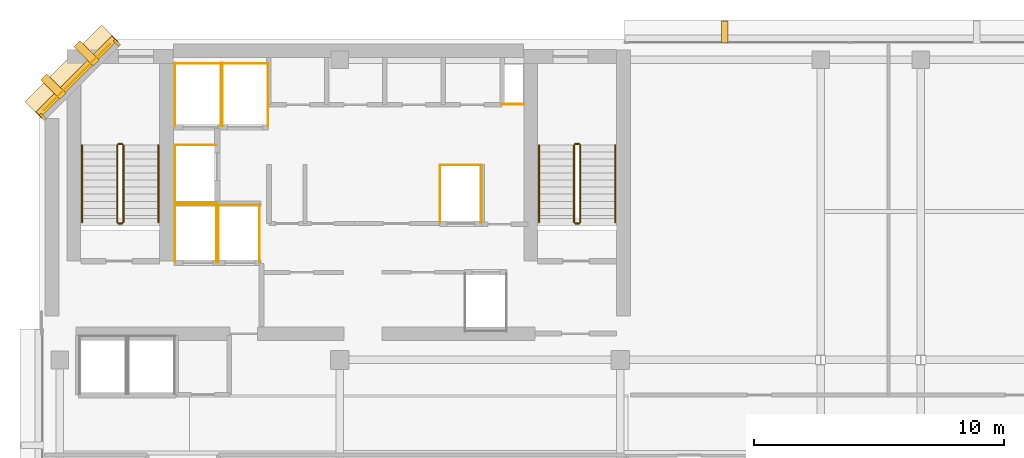
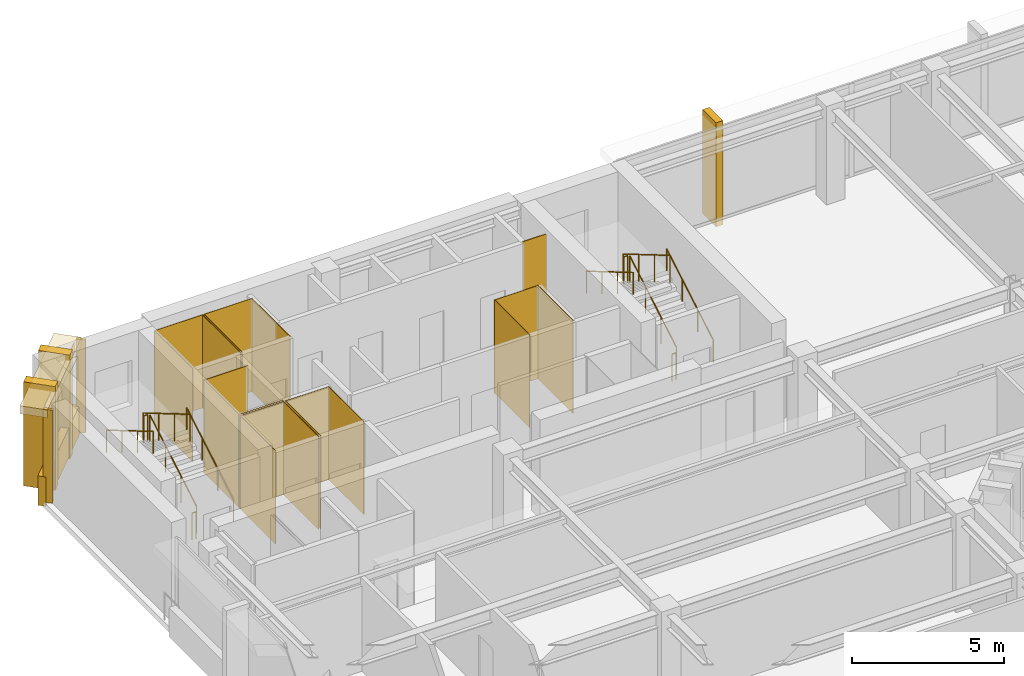
# One storey, part 11 of 12: 27 coverings, 12 railings.
"""IFC4 building model written with IfcOpenShell, lengths in metres."""

from ifc_helpers import new_model, si_unit, direction, frame, origin, origin_2d, place, context, subcontext, project, spatial, polyline, rectangle, circle, outline, extrude, material, layer, layer_set, type_object, element, save


model = new_model("IFC4")

# Units and contexts
model_context = context("Model", 3, precision=1e-05, world=origin(), true_north=direction((0.0, 1.0)))
body_context = subcontext(model_context, "Body", "Model", "MODEL_VIEW")
ifc_project = project(units=[si_unit("LENGTHUNIT", "METRE"), si_unit("AREAUNIT", "SQUARE_METRE"), si_unit("VOLUMEUNIT", "CUBIC_METRE"), si_unit("PLANEANGLEUNIT", "RADIAN"), si_unit("MASSUNIT", "GRAM", prefix="KILO")], contexts=[model_context])

# Site, building, storey
site_placement = place(None, origin())
site = spatial("IfcSite", under=ifc_project, at=site_placement, CompositionType="ELEMENT")
building_placement = place(site_placement, origin())
building = spatial("IfcBuilding", under=site, at=building_placement, Name="Kefirva Bronze Tower", CompositionType="ELEMENT")
storey_placement = place(building_placement, frame((0.0, 0.0, 280.169921875)))
storey = spatial("IfcBuildingStorey", under=building, at=storey_placement, Name="L68", CompositionType="ELEMENT", Elevation=280.169921875)

# Coverings
ifc_material_1 = material(Name="Bronze anodised aluminium", Category="aluminium")
ifc_layer_1 = layer(ifc_material_1, 0.02001953125, Name="Bronze anodised aluminium")
ifc_layer_set_1 = layer_set([ifc_layer_1], Name="Bronze anodised aluminium")
covering_type_1 = type_object("IfcCoveringType", Name="Anodised Bronze Spandrel Cladding 20mm", PredefinedType="CLADDING", material=ifc_layer_set_1)
covering_1_placement = place(storey_placement, frame((1.492919921875, 44.507080078125, 3.320068359375), z_axis=(0.0, 0.0, 1.0), x_axis=(-0.707106781187, -0.707106781187, 0.0)))
element("IfcCovering", 1, at=covering_1_placement, inside=storey, type_object=covering_type_1, Name="L68 Bronze Spandrel Cladding 9", PredefinedType="CLADDING", context=body_context, shape_type="SweptSolid", body=[
    extrude(rectangle(XDim=3.719482421875, YDim=0.02001953125, at=origin_2d()), origin(), (0.0, 0.0, 1.0), 0.39990234375),
])
for number, where, z_axis, x_axis, name in (
    (2, (3.08837890625, 45.862060546875, 0.0), (0.0, 0.0, 1.0), (-0.707106781187, -0.707106781187, 0.0), "L68 Facade Joint Closure Panel 9S"),
    (3, (0.137939453125, 42.91162109375, 0.0), (0.0, 0.0, 1.0), (-0.707106781187, -0.707106781187, 0.0), "L68 Facade Joint Closure Panel 9E"),
):
    element("IfcCovering", number, at=place(storey_placement, frame(where, z_axis=z_axis, x_axis=x_axis)), inside=storey, type_object=covering_type_1, Name=name, PredefinedType="CLADDING", context=body_context, shape_type="SweptSolid", body=[
        extrude(rectangle(XDim=0.10009765625, YDim=0.320068359375, at=origin_2d()), origin(), (0.0, 0.0, 1.0), 3.739990234375),
    ])
covering_2_placement = place(storey_placement, frame((1.4716796875, 44.5283203125, -0.15966796875), z_axis=(0.0, 0.0, 1.0), x_axis=(-0.707106781187, -0.707106781187, 0.0)))
element("IfcCovering", 4, at=covering_2_placement, inside=storey, type_object=covering_type_1, Name="L68 Streamline Horizontal Spandrel Band 13", PredefinedType="CLADDING", context=body_context, shape_type="SweptSolid", body=[
    extrude(rectangle(XDim=4.28271484375, YDim=0.280029296875, at=origin_2d()), origin(), (0.0, 0.0, 1.0), 1.179931640625),
])
covering_3_placement = place(storey_placement, origin())
element("IfcCovering", 5, at=covering_3_placement, inside=storey, type_object=covering_type_1, Name="L68 Lift FF1 Hoistway Liner N", PredefinedType="CLADDING", context=body_context, shape_type="SweptSolid", body=[
    extrude(outline(polyline([(5.39990234375, 39.389892578125), (7.080078125, 39.389892578125), (7.080078125, 39.409912109375), (5.39990234375, 39.409912109375), (5.39990234375, 39.389892578125)])), origin(), (0.0, 0.0, 1.0), 3.739990234375),
])
covering_4_placement = place(storey_placement, origin())
element("IfcCovering", 6, at=covering_4_placement, inside=storey, type_object=covering_type_1, Name="L68 Lift FF1 Hoistway Liner W", PredefinedType="CLADDING", context=body_context, shape_type="SweptSolid", body=[
    extrude(outline(polyline([(5.409912109375, 37.080078125), (5.429931640625, 37.080078125), (5.429931640625, 39.419921875), (5.409912109375, 39.419921875), (5.409912109375, 37.080078125)])), origin(), (0.0, 0.0, 1.0), 3.739990234375),
])
covering_5_placement = place(storey_placement, origin())
element("IfcCovering", 7, at=covering_5_placement, inside=storey, type_object=covering_type_1, Name="L68 Lift FF1 Hoistway Liner E", PredefinedType="CLADDING", context=body_context, shape_type="SweptSolid", body=[
    extrude(outline(polyline([(7.050048828125, 37.080078125), (7.070068359375, 37.080078125), (7.070068359375, 39.419921875), (7.050048828125, 39.419921875), (7.050048828125, 37.080078125)])), origin(), (0.0, 0.0, 1.0), 3.739990234375),
])
covering_6_placement = place(storey_placement, origin())
element("IfcCovering", 8, at=covering_6_placement, inside=storey, type_object=covering_type_1, Name="L68 Lift FF2 Hoistway Liner N", PredefinedType="CLADDING", context=body_context, shape_type="SweptSolid", body=[
    extrude(outline(polyline([(7.1201171875, 39.389892578125), (8.800048828125, 39.389892578125), (8.800048828125, 39.409912109375), (7.1201171875, 39.409912109375), (7.1201171875, 39.389892578125)])), origin(), (0.0, 0.0, 1.0), 3.739990234375),
])
covering_7_placement = place(storey_placement, origin())
element("IfcCovering", 9, at=covering_7_placement, inside=storey, type_object=covering_type_1, Name="L68 Lift FF2 Hoistway Liner W", PredefinedType="CLADDING", context=body_context, shape_type="SweptSolid", body=[
    extrude(outline(polyline([(7.1298828125, 37.080078125), (7.14990234375, 37.080078125), (7.14990234375, 39.419921875), (7.1298828125, 39.419921875), (7.1298828125, 37.080078125)])), origin(), (0.0, 0.0, 1.0), 3.739990234375),
])
covering_8_placement = place(storey_placement, origin())
element("IfcCovering", 10, at=covering_8_placement, inside=storey, type_object=covering_type_1, Name="L68 Lift FF2 Hoistway Liner E", PredefinedType="CLADDING", context=body_context, shape_type="SweptSolid", body=[
    extrude(outline(polyline([(8.77001953125, 37.080078125), (8.7900390625, 37.080078125), (8.7900390625, 39.419921875), (8.77001953125, 39.419921875), (8.77001953125, 37.080078125)])), origin(), (0.0, 0.0, 1.0), 3.739990234375),
])
covering_9_placement = place(storey_placement, origin())
element("IfcCovering", 11, at=covering_9_placement, inside=storey, type_object=covering_type_1, Name="L68 Lift SV1 Hoistway Liner N", PredefinedType="CLADDING", context=body_context, shape_type="SweptSolid", body=[
    extrude(outline(polyline([(5.39990234375, 45.0400390625), (7.260009765625, 45.0400390625), (7.260009765625, 45.06005859375), (5.39990234375, 45.06005859375), (5.39990234375, 45.0400390625)])), origin(), (0.0, 0.0, 1.0), 3.739990234375),
])
covering_10_placement = place(storey_placement, origin())
element("IfcCovering", 12, at=covering_10_placement, inside=storey, type_object=covering_type_1, Name="L68 Lift SV1 Hoistway Liner W", PredefinedType="CLADDING", context=body_context, shape_type="SweptSolid", body=[
    extrude(outline(polyline([(5.409912109375, 42.530029296875), (5.429931640625, 42.530029296875), (5.429931640625, 45.070068359375), (5.409912109375, 45.070068359375), (5.409912109375, 42.530029296875)])), origin(), (0.0, 0.0, 1.0), 3.739990234375),
])
covering_11_placement = place(storey_placement, origin())
element("IfcCovering", 13, at=covering_11_placement, inside=storey, type_object=covering_type_1, Name="L68 Lift SV1 Hoistway Liner E", PredefinedType="CLADDING", context=body_context, shape_type="SweptSolid", body=[
    extrude(outline(polyline([(7.22998046875, 42.530029296875), (7.25, 42.530029296875), (7.25, 45.070068359375), (7.22998046875, 45.070068359375), (7.22998046875, 42.530029296875)])), origin(), (0.0, 0.0, 1.0), 3.739990234375),
])
covering_12_placement = place(storey_placement, origin())
element("IfcCovering", 14, at=covering_12_placement, inside=storey, type_object=covering_type_1, Name="L68 Lift SV2 Hoistway Liner N", PredefinedType="CLADDING", context=body_context, shape_type="SweptSolid", body=[
    extrude(outline(polyline([(7.280029296875, 45.0400390625), (9.139892578125, 45.0400390625), (9.139892578125, 45.06005859375), (7.280029296875, 45.06005859375), (7.280029296875, 45.0400390625)])), origin(), (0.0, 0.0, 1.0), 3.739990234375),
])
covering_13_placement = place(storey_placement, origin())
element("IfcCovering", 15, at=covering_13_placement, inside=storey, type_object=covering_type_1, Name="L68 Lift SV2 Hoistway Liner W", PredefinedType="CLADDING", context=body_context, shape_type="SweptSolid", body=[
    extrude(outline(polyline([(7.2900390625, 42.530029296875), (7.31005859375, 42.530029296875), (7.31005859375, 45.070068359375), (7.2900390625, 45.070068359375), (7.2900390625, 42.530029296875)])), origin(), (0.0, 0.0, 1.0), 3.739990234375),
])
covering_14_placement = place(storey_placement, origin())
element("IfcCovering", 16, at=covering_14_placement, inside=storey, type_object=covering_type_1, Name="L68 Lift SV2 Hoistway Liner E", PredefinedType="CLADDING", context=body_context, shape_type="SweptSolid", body=[
    extrude(outline(polyline([(9.110107421875, 42.530029296875), (9.1298828125, 42.530029296875), (9.1298828125, 45.070068359375), (9.110107421875, 45.070068359375), (9.110107421875, 42.530029296875)])), origin(), (0.0, 0.0, 1.0), 3.739990234375),
])
covering_15_placement = place(storey_placement, origin())
element("IfcCovering", 17, at=covering_15_placement, inside=storey, type_object=covering_type_1, Name="L68 Lift HP2 Hoistway Liner N", PredefinedType="CLADDING", context=body_context, shape_type="SweptSolid", body=[
    extrude(outline(polyline([(15.97998046875, 40.969970703125), (17.669921875, 40.969970703125), (17.669921875, 40.989990234375), (15.97998046875, 40.989990234375), (15.97998046875, 40.969970703125)])), origin(), (0.0, 0.0, 1.0), 3.739990234375),
])
covering_16_placement = place(storey_placement, origin())
element("IfcCovering", 18, at=covering_16_placement, inside=storey, type_object=covering_type_1, Name="L68 Lift HP2 Hoistway Liner W", PredefinedType="CLADDING", context=body_context, shape_type="SweptSolid", body=[
    extrude(outline(polyline([(15.989990234375, 38.659912109375), (16.010009765625, 38.659912109375), (16.010009765625, 41.0), (15.989990234375, 41.0), (15.989990234375, 38.659912109375)])), origin(), (0.0, 0.0, 1.0), 3.739990234375),
])
covering_17_placement = place(storey_placement, origin())
element("IfcCovering", 19, at=covering_17_placement, inside=storey, type_object=covering_type_1, Name="L68 Lift HP2 Hoistway Liner E", PredefinedType="CLADDING", context=body_context, shape_type="SweptSolid", body=[
    extrude(outline(polyline([(17.639892578125, 38.659912109375), (17.659912109375, 38.659912109375), (17.659912109375, 41.0), (17.639892578125, 41.0), (17.639892578125, 38.659912109375)])), origin(), (0.0, 0.0, 1.0), 3.739990234375),
])
covering_18_placement = place(storey_placement, origin())
element("IfcCovering", 20, at=covering_18_placement, inside=storey, type_object=covering_type_1, Name="L68 Lift HP3 Hoistway Liner N", PredefinedType="CLADDING", context=body_context, shape_type="SweptSolid", body=[
    extrude(outline(polyline([(5.39990234375, 41.77001953125), (7.080078125, 41.77001953125), (7.080078125, 41.7900390625), (5.39990234375, 41.7900390625), (5.39990234375, 41.77001953125)])), origin(), (0.0, 0.0, 1.0), 3.739990234375),
])
covering_19_placement = place(storey_placement, origin())
element("IfcCovering", 21, at=covering_19_placement, inside=storey, type_object=covering_type_1, Name="L68 Lift HP3 Hoistway Liner S", PredefinedType="CLADDING", context=body_context, shape_type="SweptSolid", body=[
    extrude(outline(polyline([(5.39990234375, 39.469970703125), (7.080078125, 39.469970703125), (7.080078125, 39.489990234375), (5.39990234375, 39.489990234375), (5.39990234375, 39.469970703125)])), origin(), (0.0, 0.0, 1.0), 3.739990234375),
])
covering_20_placement = place(storey_placement, origin())
element("IfcCovering", 22, at=covering_20_placement, inside=storey, type_object=covering_type_1, Name="L68 Lift HP3 Hoistway Liner W", PredefinedType="CLADDING", context=body_context, shape_type="SweptSolid", body=[
    extrude(outline(polyline([(5.409912109375, 39.4599609375), (5.429931640625, 39.4599609375), (5.429931640625, 41.800048828125), (5.409912109375, 41.800048828125), (5.409912109375, 39.4599609375)])), origin(), (0.0, 0.0, 1.0), 3.739990234375),
])
covering_21_placement = place(storey_placement, origin())
element("IfcCovering", 23, at=covering_21_placement, inside=storey, type_object=covering_type_1, Name="L68 Core MEP Riser Shaft Liner South", PredefinedType="CLADDING", context=body_context, shape_type="SweptSolid", body=[
    extrude(outline(polyline([(18.47998046875, 43.39990234375), (19.360107421875, 43.39990234375), (19.360107421875, 43.429931640625), (18.47998046875, 43.429931640625), (18.47998046875, 43.39990234375)])), origin(), (0.0, 0.0, 1.0), 3.739990234375),
])

# Railings
ifc_material_2 = material(Name="Stainless steel 316", Category="steel")
railing_type_1 = type_object("IfcRailingType", Name="Interior Stair Guardrail 1100mm", PredefinedType="GUARDRAIL", material=ifc_material_2)
railing_1_placement = place(storey_placement, frame((3.35009765625, 38.699951171875, 0.1650390625)))
element("IfcRailing", 24, at=railing_1_placement, inside=storey, type_object=railing_type_1, Name="L68 ST-1 stair guard 1", PredefinedType="GUARDRAIL", context=body_context, shape_type="SweptSolid", body=[
    extrude(circle(Radius=0.02392578125, at=origin_2d()), frame((0.0, 0.0, 1.076171875), z_axis=(0.0, 0.861551262678, 0.507670583921), x_axis=(-1.0, 0.0, 0.0)), (0.0, 0.0, 1.0), 3.574951171875),
    extrude(circle(Radius=0.02099609375, at=origin_2d()), origin(), (0.0, 0.0, 1.0), 1.052001953125),
    extrude(circle(Radius=0.02099609375, at=origin_2d()), frame((0.0, 1.026611328125, 0.60498046875)), (0.0, 0.0, 1.0), 1.052001953125),
    extrude(circle(Radius=0.02099609375, at=origin_2d()), frame((0.0, 2.053466796875, 1.2099609375)), (0.0, 0.0, 1.0), 1.052001953125),
    extrude(circle(Radius=0.02099609375, at=origin_2d()), frame((0.0, 3.080078125, 1.81494140625)), (0.0, 0.0, 1.0), 1.052001953125),
])
railing_2_placement = place(storey_placement, frame((3.300048828125, 41.830078125, 1.97998046875)))
element("IfcRailing", 25, at=railing_2_placement, inside=storey, type_object=railing_type_1, Name="L68 ST-1 stair guard 2", PredefinedType="GUARDRAIL", context=body_context, shape_type="SweptSolid", body=[
    extrude(circle(Radius=0.02392578125, at=origin_2d()), frame((0.0, 0.0, 1.076171875), z_axis=(-1.0, 0.0, 0.0), x_axis=(0.0, -1.0, 0.0)), (0.0, 0.0, 1.0), 0.150146484375),
    extrude(circle(Radius=0.02099609375, at=origin_2d()), origin(), (0.0, 0.0, 1.0), 1.052001953125),
    extrude(circle(Radius=0.02099609375, at=origin_2d()), frame((-0.150146484375, 0.0, 0.0)), (0.0, 0.0, 1.0), 1.052001953125),
])
railing_3_placement = place(storey_placement, frame((3.10009765625, 41.780029296875, 2.14501953125)))
element("IfcRailing", 26, at=railing_3_placement, inside=storey, type_object=railing_type_1, Name="L68 ST-1 stair guard 3", PredefinedType="GUARDRAIL", context=body_context, shape_type="SweptSolid", body=[
    extrude(circle(Radius=0.02392578125, at=origin_2d()), frame((0.0, 0.0, 1.076171875), z_axis=(0.0, -0.861551262678, 0.507670583921), x_axis=(1.0, 0.0, 0.0)), (0.0, 0.0, 1.0), 3.574951171875),
    extrude(circle(Radius=0.02099609375, at=origin_2d()), origin(), (0.0, 0.0, 1.0), 1.052001953125),
    extrude(circle(Radius=0.02099609375, at=origin_2d()), frame((0.0, -1.026611328125, 0.60498046875)), (0.0, 0.0, 1.0), 1.052001953125),
    extrude(circle(Radius=0.02099609375, at=origin_2d()), frame((0.0, -2.053466796875, 1.2099609375)), (0.0, 0.0, 1.0), 1.052001953125),
    extrude(circle(Radius=0.02099609375, at=origin_2d()), frame((0.0, -3.080078125, 1.81494140625)), (0.0, 0.0, 1.0), 1.052001953125),
])
railing_4_placement = place(storey_placement, frame((3.300048828125, 38.64990234375, 0.0)))
element("IfcRailing", 27, at=railing_4_placement, inside=storey, type_object=railing_type_1, Name="L68 ST-1 stair guard 4", PredefinedType="GUARDRAIL", context=body_context, shape_type="SweptSolid", body=[
    extrude(circle(Radius=0.02392578125, at=origin_2d()), frame((0.0, 0.0, 1.076171875), z_axis=(-1.0, 0.0, 0.0), x_axis=(0.0, -1.0, 0.0)), (0.0, 0.0, 1.0), 0.150146484375),
    extrude(circle(Radius=0.02099609375, at=origin_2d()), origin(), (0.0, 0.0, 1.0), 1.052001953125),
    extrude(circle(Radius=0.02099609375, at=origin_2d()), frame((-0.150146484375, 0.0, 0.0)), (0.0, 0.0, 1.0), 1.052001953125),
])
railing_5_placement = place(storey_placement, frame((21.60009765625, 38.699951171875, 0.1650390625)))
element("IfcRailing", 28, at=railing_5_placement, inside=storey, type_object=railing_type_1, Name="L68 ST-2 stair guard 1", PredefinedType="GUARDRAIL", context=body_context, shape_type="SweptSolid", body=[
    extrude(circle(Radius=0.02392578125, at=origin_2d()), frame((0.0, 0.0, 1.076171875), z_axis=(0.0, 0.861551262678, 0.507670583921), x_axis=(-1.0, 0.0, 0.0)), (0.0, 0.0, 1.0), 3.574951171875),
    extrude(circle(Radius=0.02099609375, at=origin_2d()), origin(), (0.0, 0.0, 1.0), 1.052001953125),
    extrude(circle(Radius=0.02099609375, at=origin_2d()), frame((0.0, 1.026611328125, 0.60498046875)), (0.0, 0.0, 1.0), 1.052001953125),
    extrude(circle(Radius=0.02099609375, at=origin_2d()), frame((0.0, 2.053466796875, 1.2099609375)), (0.0, 0.0, 1.0), 1.052001953125),
    extrude(circle(Radius=0.02099609375, at=origin_2d()), frame((0.0, 3.080078125, 1.81494140625)), (0.0, 0.0, 1.0), 1.052001953125),
])
railing_6_placement = place(storey_placement, frame((21.550048828125, 41.830078125, 1.97998046875)))
element("IfcRailing", 29, at=railing_6_placement, inside=storey, type_object=railing_type_1, Name="L68 ST-2 stair guard 2", PredefinedType="GUARDRAIL", context=body_context, shape_type="SweptSolid", body=[
    extrude(circle(Radius=0.02392578125, at=origin_2d()), frame((0.0, 0.0, 1.076171875), z_axis=(-1.0, 0.0, 0.0), x_axis=(0.0, -1.0, 0.0)), (0.0, 0.0, 1.0), 0.150146484375),
    extrude(circle(Radius=0.02099609375, at=origin_2d()), origin(), (0.0, 0.0, 1.0), 1.052001953125),
    extrude(circle(Radius=0.02099609375, at=origin_2d()), frame((-0.150146484375, 0.0, 0.0)), (0.0, 0.0, 1.0), 1.052001953125),
])
railing_7_placement = place(storey_placement, frame((21.35009765625, 41.780029296875, 2.14501953125)))
element("IfcRailing", 30, at=railing_7_placement, inside=storey, type_object=railing_type_1, Name="L68 ST-2 stair guard 3", PredefinedType="GUARDRAIL", context=body_context, shape_type="SweptSolid", body=[
    extrude(circle(Radius=0.02392578125, at=origin_2d()), frame((0.0, 0.0, 1.076171875), z_axis=(0.0, -0.861551262678, 0.507670583921), x_axis=(1.0, 0.0, 0.0)), (0.0, 0.0, 1.0), 3.574951171875),
    extrude(circle(Radius=0.02099609375, at=origin_2d()), origin(), (0.0, 0.0, 1.0), 1.052001953125),
    extrude(circle(Radius=0.02099609375, at=origin_2d()), frame((0.0, -1.026611328125, 0.60498046875)), (0.0, 0.0, 1.0), 1.052001953125),
    extrude(circle(Radius=0.02099609375, at=origin_2d()), frame((0.0, -2.053466796875, 1.2099609375)), (0.0, 0.0, 1.0), 1.052001953125),
    extrude(circle(Radius=0.02099609375, at=origin_2d()), frame((0.0, -3.080078125, 1.81494140625)), (0.0, 0.0, 1.0), 1.052001953125),
])
railing_8_placement = place(storey_placement, frame((21.550048828125, 38.64990234375, 0.0)))
element("IfcRailing", 31, at=railing_8_placement, inside=storey, type_object=railing_type_1, Name="L68 ST-2 stair guard 4", PredefinedType="GUARDRAIL", context=body_context, shape_type="SweptSolid", body=[
    extrude(circle(Radius=0.02392578125, at=origin_2d()), frame((0.0, 0.0, 1.076171875), z_axis=(-1.0, 0.0, 0.0), x_axis=(0.0, -1.0, 0.0)), (0.0, 0.0, 1.0), 0.150146484375),
    extrude(circle(Radius=0.02099609375, at=origin_2d()), origin(), (0.0, 0.0, 1.0), 1.052001953125),
    extrude(circle(Radius=0.02099609375, at=origin_2d()), frame((-0.150146484375, 0.0, 0.0)), (0.0, 0.0, 1.0), 1.052001953125),
])
railing_type_2 = type_object("IfcRailingType", Name="Stair Pitch Handrail 900mm", PredefinedType="HANDRAIL", material=ifc_material_2)
railing_9_placement = place(storey_placement, frame((4.75, 38.699951171875, 0.1650390625)))
element("IfcRailing", 32, at=railing_9_placement, inside=storey, type_object=railing_type_2, Name="L68 ST-1 stair handrail 1", PredefinedType="HANDRAIL", context=body_context, shape_type="SweptSolid", body=[
    extrude(circle(Radius=0.02392578125, at=origin_2d()), frame((0.0, 0.0, 0.8759765625), z_axis=(0.0, 0.861551262678, 0.507670583921), x_axis=(-1.0, 0.0, 0.0)), (0.0, 0.0, 1.0), 3.574951171875),
    extrude(circle(Radius=0.02099609375, at=origin_2d()), origin(), (0.0, 0.0, 1.0), 0.851806640625),
    extrude(circle(Radius=0.02099609375, at=origin_2d()), frame((0.0, 1.026611328125, 0.60498046875)), (0.0, 0.0, 1.0), 0.851806640625),
    extrude(circle(Radius=0.02099609375, at=origin_2d()), frame((0.0, 2.053466796875, 1.2099609375)), (0.0, 0.0, 1.0), 0.851806640625),
    extrude(circle(Radius=0.02099609375, at=origin_2d()), frame((0.0, 3.080078125, 1.81494140625)), (0.0, 0.0, 1.0), 0.851806640625),
])
railing_10_placement = place(storey_placement, frame((1.699951171875, 41.780029296875, 2.14501953125)))
element("IfcRailing", 33, at=railing_10_placement, inside=storey, type_object=railing_type_2, Name="L68 ST-1 stair handrail 2", PredefinedType="HANDRAIL", context=body_context, shape_type="SweptSolid", body=[
    extrude(circle(Radius=0.02392578125, at=origin_2d()), frame((0.0, 0.0, 0.8759765625), z_axis=(0.0, -0.861551262678, 0.507670583921), x_axis=(1.0, 0.0, 0.0)), (0.0, 0.0, 1.0), 3.574951171875),
    extrude(circle(Radius=0.02099609375, at=origin_2d()), origin(), (0.0, 0.0, 1.0), 0.851806640625),
    extrude(circle(Radius=0.02099609375, at=origin_2d()), frame((0.0, -1.026611328125, 0.60498046875)), (0.0, 0.0, 1.0), 0.851806640625),
    extrude(circle(Radius=0.02099609375, at=origin_2d()), frame((0.0, -2.053466796875, 1.2099609375)), (0.0, 0.0, 1.0), 0.851806640625),
    extrude(circle(Radius=0.02099609375, at=origin_2d()), frame((0.0, -3.080078125, 1.81494140625)), (0.0, 0.0, 1.0), 0.851806640625),
])
railing_11_placement = place(storey_placement, frame((23.0, 38.699951171875, 0.1650390625)))
element("IfcRailing", 34, at=railing_11_placement, inside=storey, type_object=railing_type_2, Name="L68 ST-2 stair handrail 1", PredefinedType="HANDRAIL", context=body_context, shape_type="SweptSolid", body=[
    extrude(circle(Radius=0.02392578125, at=origin_2d()), frame((0.0, 0.0, 0.8759765625), z_axis=(0.0, 0.861551262678, 0.507670583921), x_axis=(-1.0, 0.0, 0.0)), (0.0, 0.0, 1.0), 3.574951171875),
    extrude(circle(Radius=0.02099609375, at=origin_2d()), origin(), (0.0, 0.0, 1.0), 0.851806640625),
    extrude(circle(Radius=0.02099609375, at=origin_2d()), frame((0.0, 1.026611328125, 0.60498046875)), (0.0, 0.0, 1.0), 0.851806640625),
    extrude(circle(Radius=0.02099609375, at=origin_2d()), frame((0.0, 2.053466796875, 1.2099609375)), (0.0, 0.0, 1.0), 0.851806640625),
    extrude(circle(Radius=0.02099609375, at=origin_2d()), frame((0.0, 3.080078125, 1.81494140625)), (0.0, 0.0, 1.0), 0.851806640625),
])
railing_12_placement = place(storey_placement, frame((19.949951171875, 41.780029296875, 2.14501953125)))
element("IfcRailing", 35, at=railing_12_placement, inside=storey, type_object=railing_type_2, Name="L68 ST-2 stair handrail 2", PredefinedType="HANDRAIL", context=body_context, shape_type="SweptSolid", body=[
    extrude(circle(Radius=0.02392578125, at=origin_2d()), frame((0.0, 0.0, 0.8759765625), z_axis=(0.0, -0.861551262678, 0.507670583921), x_axis=(1.0, 0.0, 0.0)), (0.0, 0.0, 1.0), 3.574951171875),
    extrude(circle(Radius=0.02099609375, at=origin_2d()), origin(), (0.0, 0.0, 1.0), 0.851806640625),
    extrude(circle(Radius=0.02099609375, at=origin_2d()), frame((0.0, -1.026611328125, 0.60498046875)), (0.0, 0.0, 1.0), 0.851806640625),
    extrude(circle(Radius=0.02099609375, at=origin_2d()), frame((0.0, -2.053466796875, 1.2099609375)), (0.0, 0.0, 1.0), 0.851806640625),
    extrude(circle(Radius=0.02099609375, at=origin_2d()), frame((0.0, -3.080078125, 1.81494140625)), (0.0, 0.0, 1.0), 0.851806640625),
])

# Coverings
ifc_layer_2 = layer(ifc_material_1, 0.179931640625, Name="Bronze anodised aluminium")
ifc_layer_set_2 = layer_set([ifc_layer_2], Name="Bronze anodised aluminium")
covering_type_2 = type_object("IfcCoveringType", Name="Streamline Bronze Sunshade Eyebrow Cladding 180mm", PredefinedType="CLADDING", material=ifc_layer_set_2)
covering_22_placement = place(storey_placement, frame((1.28076171875, 44.71923828125, 3.419921875), z_axis=(0.0, 0.0, 1.0), x_axis=(-0.707106781187, -0.707106781187, 0.0)))
element("IfcCovering", 36, at=covering_22_placement, inside=storey, type_object=covering_type_2, Name="L68 Streamline Bronze Sunshade Eyebrow 13", PredefinedType="CLADDING", context=body_context, shape_type="SweptSolid", body=[
    extrude(rectangle(XDim=4.322509765625, YDim=0.93994140625, at=origin_2d()), origin(), (0.0, 0.0, 1.0), 0.320068359375),
])
ifc_layer_3 = layer(ifc_material_1, 0.260009765625, Name="Bronze anodised aluminium")
ifc_layer_set_3 = layer_set([ifc_layer_3], Name="Bronze anodised aluminium")
covering_type_3 = type_object("IfcCoveringType", Name="Unbroken Bronze Buttress Fin Cladding 260mm", PredefinedType="CLADDING", material=ifc_layer_set_3)
covering_23_placement = place(storey_placement, frame((27.364013671875, 46.300048828125, -0.2197265625), z_axis=(0.0, 0.0, 1.0), x_axis=(-1.0, 0.0, 0.0)))
element("IfcCovering", 37, at=covering_23_placement, inside=storey, type_object=covering_type_3, Name="L68 Unbroken Vertical Bronze Rib Fin 18", PredefinedType="CLADDING", context=body_context, shape_type="SweptSolid", body=[
    extrude(rectangle(XDim=0.260009765625, YDim=0.8798828125, at=origin_2d()), origin(), (0.0, 0.0, 1.0), 4.179931640625),
])
for number, where, z_axis, x_axis, name in (
    (38, (1.877197265625, 45.44287109375, -0.2197265625), (0.0, 0.0, 1.0), (-0.707106781187, -0.707106781187, 0.0), "L68 Chamfered Corner Buttress Fin Cladding 19"),
    (39, (0.55712890625, 44.122802734375, -0.2197265625), (0.0, 0.0, 1.0), (-0.707106781187, -0.707106781187, 0.0), "L68 Chamfered Corner Buttress Fin Cladding 20"),
):
    element("IfcCovering", number, at=place(storey_placement, frame(where, z_axis=z_axis, x_axis=x_axis)), inside=storey, type_object=covering_type_3, Name=name, PredefinedType="CLADDING", context=body_context, shape_type="SweptSolid", body=[
        extrude(rectangle(XDim=0.340087890625, YDim=1.080078125, at=origin_2d()), origin(), (0.0, 0.0, 1.0), 4.179931640625),
    ])

save(model, "model.ifc")
